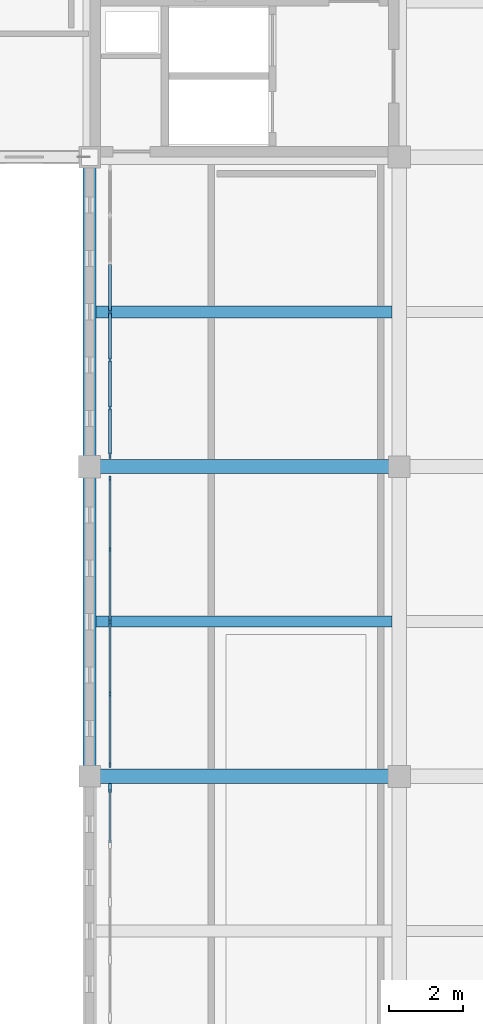
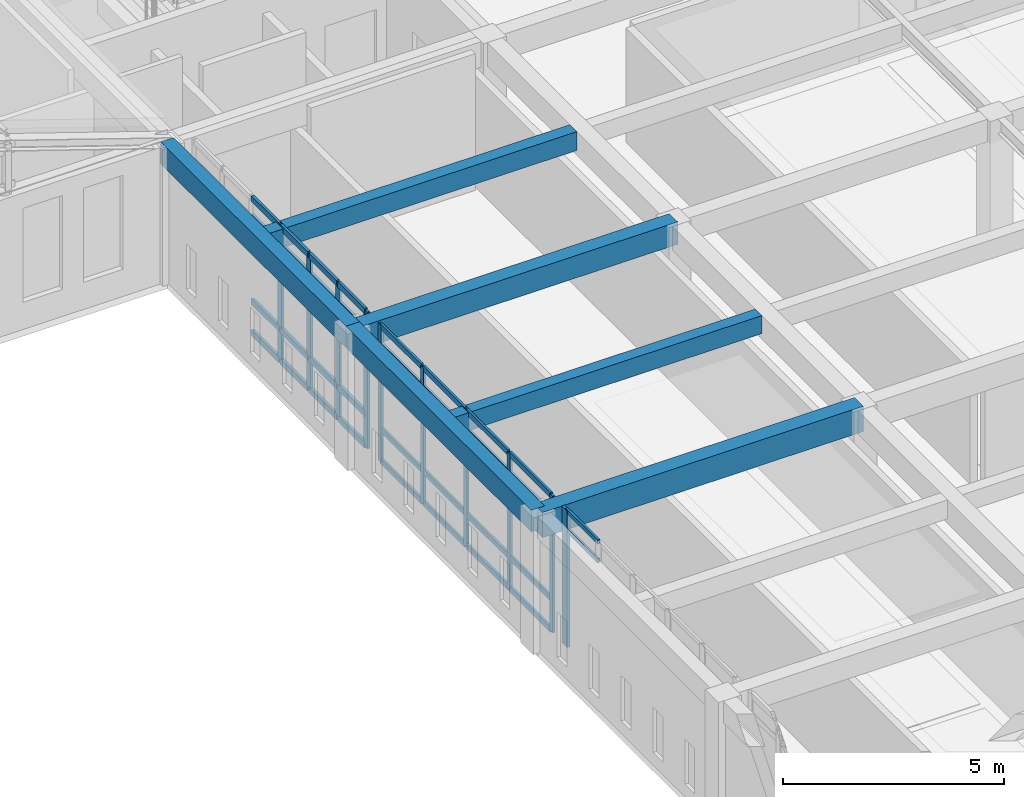
# One storey, part 6 of 56: 44 members, 6 beams, 3 elements without a shape of their own.
"""IFC4 building model written with IfcOpenShell, lengths in metres."""

from ifc_helpers import new_model, si_unit, direction, frame, origin, origin_2d, place, context, subcontext, project, spatial, rectangle, extrude, material, layer, layer_set, material_profile, profile_set, type_object, element, aggregate, save


model = new_model("IFC4")

# Units and contexts
model_context = context("Model", 3, precision=1e-05, world=origin(), true_north=direction((0.0, 1.0)))
body_context = subcontext(model_context, "Body", "Model", "MODEL_VIEW")
ifc_project = project(units=[si_unit("LENGTHUNIT", "METRE"), si_unit("AREAUNIT", "SQUARE_METRE"), si_unit("VOLUMEUNIT", "CUBIC_METRE"), si_unit("PLANEANGLEUNIT", "RADIAN"), si_unit("MASSUNIT", "GRAM", prefix="KILO")], contexts=[model_context])

# Site, building, storey
site_placement = place(None, origin())
site = spatial("IfcSite", under=ifc_project, at=site_placement, CompositionType="ELEMENT")
building_placement = place(site_placement, origin())
building = spatial("IfcBuilding", under=site, at=building_placement, Name="Kveldsbrygga Polytechnic", CompositionType="ELEMENT")
storey_placement = place(building_placement, frame((0.0, 0.0, 18.02001953125)))
storey = spatial("IfcBuildingStorey", under=building, at=storey_placement, Name="L04", CompositionType="ELEMENT", Elevation=18.02001953125)

# Beams
ifc_material_1 = material(Name="Concrete C35/45", Category="concrete")
ifc_material_profile_1 = material_profile(ifc_material_1, rectangle(XDim=0.3798828125, YDim=0.6201171875, at=origin_2d()), Name="RC 380x620")
ifc_profile_set_1 = profile_set([ifc_material_profile_1], Name="Concrete C35/45")
beam_type_1 = type_object("IfcBeamType", Name="BM-RC-380x620", PredefinedType="BEAM", material=ifc_profile_set_1)
beam_1_placement = place(storey_placement, frame((126.0, 75.60009765625, 3.469970703125), z_axis=(1.0, 0.0, 0.0), x_axis=(0.0, 1.0, 0.0)))
element("IfcBeam", 1, at=beam_1_placement, inside=storey, type_object=beam_type_1, Name="Primary Beam BMX-L04-15to16-09", PredefinedType="BEAM", context=body_context, shape_type="SweptSolid", body=[
    extrude(rectangle(XDim=0.3798828125, YDim=0.6201171875, at=origin_2d()), origin(), (0.0, 0.0, 1.0), 8.39990234375),
])
ifc_material_profile_2 = material_profile(ifc_material_1, rectangle(XDim=0.39990234375, YDim=0.699951171875, at=origin_2d()), Name="RC 400x700")
ifc_profile_set_2 = profile_set([ifc_material_profile_2], Name="Concrete C35/45")
beam_type_2 = type_object("IfcBeamType", Name="BM-RC-400x700", PredefinedType="BEAM", material=ifc_profile_set_2)
beam_2_placement = place(storey_placement, frame((126.0, 67.199951171875, 3.429931640625), z_axis=(1.0, 0.0, 0.0), x_axis=(0.0, 1.0, 0.0)))
element("IfcBeam", 2, at=beam_2_placement, inside=storey, type_object=beam_type_2, Name="Primary Beam BMX-L04-15to16-08", PredefinedType="BEAM", context=body_context, shape_type="SweptSolid", body=[
    extrude(rectangle(XDim=0.39990234375, YDim=0.699951171875, at=origin_2d()), origin(), (0.0, 0.0, 1.0), 8.39990234375),
])
ifc_material_profile_3 = material_profile(ifc_material_1, rectangle(XDim=0.35009765625, YDim=0.60009765625, at=origin_2d()), Name="RC 350x600")
ifc_profile_set_3 = profile_set([ifc_material_profile_3], Name="Concrete C35/45")
beam_type_3 = type_object("IfcBeamType", Name="BM-SPANDREL-600", PredefinedType="T_BEAM", material=ifc_profile_set_3)
beam_3_placement = place(storey_placement, frame((126.0, 67.199951171875, 3.47998046875), z_axis=(0.0, 1.0, 0.0), x_axis=(-1.0, 0.0, 0.0)))
element("IfcBeam", 3, at=beam_3_placement, inside=storey, type_object=beam_type_3, Name="Primary Beam BMY-L04-15-08to09", PredefinedType="T_BEAM", context=body_context, shape_type="SweptSolid", body=[
    extrude(rectangle(XDim=0.35009765625, YDim=0.60009765625, at=origin_2d()), origin(), (0.0, 0.0, 1.0), 8.400146484375),
])
beam_4_placement = place(storey_placement, frame((126.0, 75.60009765625, 3.47998046875), z_axis=(0.0, 1.0, 0.0), x_axis=(-1.0, 0.0, 0.0)))
element("IfcBeam", 4, at=beam_4_placement, inside=storey, type_object=beam_type_3, Name="Primary Beam BMY-L04-15-09to10", PredefinedType="T_BEAM", context=body_context, shape_type="SweptSolid", body=[
    extrude(rectangle(XDim=0.35009765625, YDim=0.60009765625, at=origin_2d()), origin(), (0.0, 0.0, 1.0), 8.39990234375),
])

# Curtain wall, members
ifc_material_2 = material(Name="Anodised aluminium AW-6060", Category="aluminium")
ifc_layer_1 = layer(ifc_material_2, 0.199951171875)
ifc_layer_set_1 = layer_set([ifc_layer_1], Name="Anodised aluminium AW-6060")
curtain_wall_type_1 = type_object("IfcCurtainWallType", Name="CW-LANC-E", PredefinedType="USERDEFINED", material=ifc_layer_set_1)
curtain_wall_1_placement = place(storey_placement, origin())
curtain_wall_1 = element("IfcCurtainWall", 5, at=curtain_wall_1_placement, inside=storey, type_object=curtain_wall_type_1, Name="Curtain Wall CW-L04-Y-15-08", ObjectType="UNITISED CURTAIN WALL", PredefinedType="USERDEFINED")
ifc_material_profile_4 = material_profile(ifc_material_2, rectangle(XDim=0.06005859375, YDim=0.139892578125, at=origin_2d()), Name="ALU 60x140")
ifc_profile_set_4 = profile_set([ifc_material_profile_4], Name="Anodised aluminium AW-6060")
member_type_1 = type_object("IfcMemberType", Name="CW-MUL-140", PredefinedType="MULLION", material=ifc_profile_set_4)
member_1_placement = place(storey_placement, frame((126.550048828125, 67.5048828125, 0.0), z_axis=(0.0, 0.0, 1.0), x_axis=(-1.0, 0.0, 0.0)))
member_1 = element("IfcMember", 6, at=member_1_placement, type_object=member_type_1, Name="CW-05 mullion 1", PredefinedType="MULLION", context=body_context, shape_type="SweptSolid", body=[
    extrude(rectangle(XDim=0.06005859375, YDim=0.139892578125, at=origin_2d()), origin(), (0.0, 0.0, 1.0), 3.780029296875),
])
member_2_placement = place(storey_placement, frame((126.550048828125, 69.43505859375, 0.0), z_axis=(0.0, 0.0, 1.0), x_axis=(-1.0, 0.0, 0.0)))
member_2 = element("IfcMember", 7, at=member_2_placement, type_object=member_type_1, Name="CW-05 mullion 2", PredefinedType="MULLION", context=body_context, shape_type="SweptSolid", body=[
    extrude(rectangle(XDim=0.06005859375, YDim=0.139892578125, at=origin_2d()), origin(), (0.0, 0.0, 1.0), 3.780029296875),
])
member_3_placement = place(storey_placement, frame((126.550048828125, 71.39501953125, 0.0), z_axis=(0.0, 0.0, 1.0), x_axis=(-1.0, 0.0, 0.0)))
member_3 = element("IfcMember", 8, at=member_3_placement, type_object=member_type_1, Name="CW-05 mullion 3", PredefinedType="MULLION", context=body_context, shape_type="SweptSolid", body=[
    extrude(rectangle(XDim=0.06005859375, YDim=0.139892578125, at=origin_2d()), origin(), (0.0, 0.0, 1.0), 3.780029296875),
])
member_4_placement = place(storey_placement, frame((126.550048828125, 73.35498046875, 0.0), z_axis=(0.0, 0.0, 1.0), x_axis=(-1.0, 0.0, 0.0)))
member_4 = element("IfcMember", 9, at=member_4_placement, type_object=member_type_1, Name="CW-05 mullion 4", PredefinedType="MULLION", context=body_context, shape_type="SweptSolid", body=[
    extrude(rectangle(XDim=0.06005859375, YDim=0.139892578125, at=origin_2d()), origin(), (0.0, 0.0, 1.0), 3.780029296875),
])
member_5_placement = place(storey_placement, frame((126.550048828125, 75.284912109375, 0.0), z_axis=(0.0, 0.0, 1.0), x_axis=(-1.0, 0.0, 0.0)))
member_5 = element("IfcMember", 10, at=member_5_placement, type_object=member_type_1, Name="CW-05 mullion 5", PredefinedType="MULLION", context=body_context, shape_type="SweptSolid", body=[
    extrude(rectangle(XDim=0.06005859375, YDim=0.139892578125, at=origin_2d()), origin(), (0.0, 0.0, 1.0), 3.780029296875),
])

ifc_layer_2 = layer(ifc_material_2, 0.169921875)
ifc_layer_set_2 = layer_set([ifc_layer_2], Name="Anodised aluminium AW-6060")
curtain_wall_type_2 = type_object("IfcCurtainWallType", Name="CW-FOYR-F", PredefinedType="USERDEFINED", material=ifc_layer_set_2)
curtain_wall_2_placement = place(storey_placement, origin())
curtain_wall_2 = element("IfcCurtainWall", 11, at=curtain_wall_2_placement, inside=storey, type_object=curtain_wall_type_2, Name="Curtain Wall CW-L04-Y-15-09", ObjectType="STICK CURTAIN WALL", PredefinedType="USERDEFINED")
ifc_material_profile_5 = material_profile(ifc_material_2, rectangle(XDim=0.06005859375, YDim=0.179931640625, at=origin_2d()), Name="ALU 60x180")
ifc_profile_set_5 = profile_set([ifc_material_profile_5], Name="Anodised aluminium AW-6060")
member_type_2 = type_object("IfcMemberType", Name="CW-MUL-180", PredefinedType="MULLION", material=ifc_profile_set_5)
member_6_placement = place(storey_placement, frame((126.550048828125, 75.9150390625, 0.0), z_axis=(0.0, 0.0, 1.0), x_axis=(-1.0, 0.0, 0.0)))
member_6 = element("IfcMember", 12, at=member_6_placement, type_object=member_type_2, Name="CW-06 mullion 1", PredefinedType="MULLION", context=body_context, shape_type="SweptSolid", body=[
    extrude(rectangle(XDim=0.06005859375, YDim=0.179931640625, at=origin_2d()), origin(), (0.0, 0.0, 1.0), 3.780029296875),
])
member_7_placement = place(storey_placement, frame((126.550048828125, 77.191650390625, 0.0), z_axis=(0.0, 0.0, 1.0), x_axis=(-1.0, 0.0, 0.0)))
member_7 = element("IfcMember", 13, at=member_7_placement, type_object=member_type_2, Name="CW-06 mullion 2", PredefinedType="MULLION", context=body_context, shape_type="SweptSolid", body=[
    extrude(rectangle(XDim=0.06005859375, YDim=0.179931640625, at=origin_2d()), origin(), (0.0, 0.0, 1.0), 3.780029296875),
])
member_8_placement = place(storey_placement, frame((126.550048828125, 78.498291015625, 0.0), z_axis=(0.0, 0.0, 1.0), x_axis=(-1.0, 0.0, 0.0)))
member_8 = element("IfcMember", 14, at=member_8_placement, type_object=member_type_2, Name="CW-06 mullion 3", PredefinedType="MULLION", context=body_context, shape_type="SweptSolid", body=[
    extrude(rectangle(XDim=0.06005859375, YDim=0.179931640625, at=origin_2d()), origin(), (0.0, 0.0, 1.0), 3.780029296875),
])
member_9_placement = place(storey_placement, frame((126.550048828125, 79.804931640625, 0.0), z_axis=(0.0, 0.0, 1.0), x_axis=(-1.0, 0.0, 0.0)))
member_9 = element("IfcMember", 15, at=member_9_placement, type_object=member_type_2, Name="CW-06 mullion 4", PredefinedType="MULLION", context=body_context, shape_type="SweptSolid", body=[
    extrude(rectangle(XDim=0.06005859375, YDim=0.179931640625, at=origin_2d()), origin(), (0.0, 0.0, 1.0), 3.780029296875),
])

ifc_layer_3 = layer(ifc_material_2, 0.179931640625)
ifc_layer_set_3 = layer_set([ifc_layer_3], Name="Anodised aluminium AW-6060")
curtain_wall_type_3 = type_object("IfcCurtainWallType", Name="CW-LANC-D", PredefinedType="USERDEFINED", material=ifc_layer_set_3)
curtain_wall_3_placement = place(storey_placement, origin())
curtain_wall_3 = element("IfcCurtainWall", 16, at=curtain_wall_3_placement, inside=storey, type_object=curtain_wall_type_3, Name="Curtain Wall CW-L04-Y-15-07", ObjectType="UNITISED CURTAIN WALL", PredefinedType="USERDEFINED")
ifc_material_profile_6 = material_profile(ifc_material_2, rectangle(XDim=0.074951171875, YDim=0.239990234375, at=origin_2d()), Name="ALU 75x240")
ifc_profile_set_6 = profile_set([ifc_material_profile_6], Name="Anodised aluminium AW-6060")
member_type_3 = type_object("IfcMemberType", Name="CW-MUL-240", PredefinedType="MULLION", material=ifc_profile_set_6)
member_10_placement = place(storey_placement, frame((126.550048828125, 66.887451171875, 0.0), z_axis=(0.0, 0.0, 1.0), x_axis=(-1.0, 0.0, 0.0)))
member_10 = element("IfcMember", 17, at=member_10_placement, type_object=member_type_3, Name="CW-04 mullion 6", PredefinedType="MULLION", context=body_context, shape_type="SweptSolid", body=[
    extrude(rectangle(XDim=0.074951171875, YDim=0.239990234375, at=origin_2d()), origin(), (0.0, 0.0, 1.0), 3.780029296875),
])
ifc_material_profile_7 = material_profile(ifc_material_2, rectangle(XDim=0.06005859375, YDim=0.1201171875, at=origin_2d()), Name="ALU 60x120")
ifc_profile_set_7 = profile_set([ifc_material_profile_7], Name="Anodised aluminium AW-6060")
member_type_4 = type_object("IfcMemberType", Name="CW-TRN-120", PredefinedType="USERDEFINED", material=ifc_profile_set_7)
member_11_placement = place(storey_placement, frame((126.550048828125, 65.39453125, 3.22998046875), z_axis=(0.0, 1.0, 0.0), x_axis=(-1.0, 0.0, 0.0)))
member_11 = element("IfcMember", 18, at=member_11_placement, type_object=member_type_4, Name="CW-04 transom 5.3", ObjectType="TRANSOM", PredefinedType="USERDEFINED", context=body_context, shape_type="SweptSolid", body=[
    extrude(rectangle(XDim=0.06005859375, YDim=0.1201171875, at=origin_2d()), origin(), (0.0, 0.0, 1.0), 1.45556640625),
])
member_12_placement = place(storey_placement, frame((126.550048828125, 65.39453125, 3.75), z_axis=(0.0, 1.0, 0.0), x_axis=(-1.0, 0.0, 0.0)))
member_12 = element("IfcMember", 19, at=member_12_placement, type_object=member_type_4, Name="CW-04 transom 5.4", ObjectType="TRANSOM", PredefinedType="USERDEFINED", context=body_context, shape_type="SweptSolid", body=[
    extrude(rectangle(XDim=0.06005859375, YDim=0.1201171875, at=origin_2d()), origin(), (0.0, 0.0, 1.0), 1.45556640625),
])
aggregate(curtain_wall_3, [member_10, member_11, member_12])

# Member
ifc_material_profile_8 = material_profile(ifc_material_2, rectangle(XDim=0.06005859375, YDim=0.14990234375, at=origin_2d()), Name="ALU 60x150")
ifc_profile_set_8 = profile_set([ifc_material_profile_8], Name="Anodised aluminium AW-6060")
member_type_5 = type_object("IfcMemberType", Name="CW-TRN-150", PredefinedType="USERDEFINED", material=ifc_profile_set_8)
member_13_placement = place(storey_placement, frame((126.550048828125, 67.534912109375, 0.030029296875), z_axis=(0.0, 1.0, 0.0), x_axis=(-1.0, 0.0, 0.0)))
member_13 = element("IfcMember", 20, at=member_13_placement, type_object=member_type_5, Name="CW-05 transom 1.1", ObjectType="TRANSOM", PredefinedType="USERDEFINED", context=body_context, shape_type="SweptSolid", body=[
    extrude(rectangle(XDim=0.06005859375, YDim=0.14990234375, at=origin_2d()), origin(), (0.0, 0.0, 1.0), 1.8701171875),
])

member_14_placement = place(storey_placement, frame((126.550048828125, 67.534912109375, 0.89990234375), z_axis=(0.0, 1.0, 0.0), x_axis=(-1.0, 0.0, 0.0)))
member_14 = element("IfcMember", 21, at=member_14_placement, type_object=member_type_5, Name="CW-05 transom 1.2", ObjectType="TRANSOM", PredefinedType="USERDEFINED", context=body_context, shape_type="SweptSolid", body=[
    extrude(rectangle(XDim=0.06005859375, YDim=0.14990234375, at=origin_2d()), origin(), (0.0, 0.0, 1.0), 1.8701171875),
])

member_15_placement = place(storey_placement, frame((126.550048828125, 67.534912109375, 3.22998046875), z_axis=(0.0, 1.0, 0.0), x_axis=(-1.0, 0.0, 0.0)))
member_15 = element("IfcMember", 22, at=member_15_placement, type_object=member_type_5, Name="CW-05 transom 1.3", ObjectType="TRANSOM", PredefinedType="USERDEFINED", context=body_context, shape_type="SweptSolid", body=[
    extrude(rectangle(XDim=0.06005859375, YDim=0.14990234375, at=origin_2d()), origin(), (0.0, 0.0, 1.0), 1.8701171875),
])

member_16_placement = place(storey_placement, frame((126.550048828125, 67.534912109375, 3.75), z_axis=(0.0, 1.0, 0.0), x_axis=(-1.0, 0.0, 0.0)))
member_16 = element("IfcMember", 23, at=member_16_placement, type_object=member_type_5, Name="CW-05 transom 1.4", ObjectType="TRANSOM", PredefinedType="USERDEFINED", context=body_context, shape_type="SweptSolid", body=[
    extrude(rectangle(XDim=0.06005859375, YDim=0.14990234375, at=origin_2d()), origin(), (0.0, 0.0, 1.0), 1.8701171875),
])

member_17_placement = place(storey_placement, frame((126.550048828125, 69.465087890625, 0.030029296875), z_axis=(0.0, 1.0, 0.0), x_axis=(-1.0, 0.0, 0.0)))
member_17 = element("IfcMember", 24, at=member_17_placement, type_object=member_type_5, Name="CW-05 transom 2.1", ObjectType="TRANSOM", PredefinedType="USERDEFINED", context=body_context, shape_type="SweptSolid", body=[
    extrude(rectangle(XDim=0.06005859375, YDim=0.14990234375, at=origin_2d()), origin(), (0.0, 0.0, 1.0), 1.89990234375),
])

member_18_placement = place(storey_placement, frame((126.550048828125, 69.465087890625, 0.89990234375), z_axis=(0.0, 1.0, 0.0), x_axis=(-1.0, 0.0, 0.0)))
member_18 = element("IfcMember", 25, at=member_18_placement, type_object=member_type_5, Name="CW-05 transom 2.2", ObjectType="TRANSOM", PredefinedType="USERDEFINED", context=body_context, shape_type="SweptSolid", body=[
    extrude(rectangle(XDim=0.06005859375, YDim=0.14990234375, at=origin_2d()), origin(), (0.0, 0.0, 1.0), 1.89990234375),
])

member_19_placement = place(storey_placement, frame((126.550048828125, 69.465087890625, 3.22998046875), z_axis=(0.0, 1.0, 0.0), x_axis=(-1.0, 0.0, 0.0)))
member_19 = element("IfcMember", 26, at=member_19_placement, type_object=member_type_5, Name="CW-05 transom 2.3", ObjectType="TRANSOM", PredefinedType="USERDEFINED", context=body_context, shape_type="SweptSolid", body=[
    extrude(rectangle(XDim=0.06005859375, YDim=0.14990234375, at=origin_2d()), origin(), (0.0, 0.0, 1.0), 1.89990234375),
])

member_20_placement = place(storey_placement, frame((126.550048828125, 69.465087890625, 3.75), z_axis=(0.0, 1.0, 0.0), x_axis=(-1.0, 0.0, 0.0)))
member_20 = element("IfcMember", 27, at=member_20_placement, type_object=member_type_5, Name="CW-05 transom 2.4", ObjectType="TRANSOM", PredefinedType="USERDEFINED", context=body_context, shape_type="SweptSolid", body=[
    extrude(rectangle(XDim=0.06005859375, YDim=0.14990234375, at=origin_2d()), origin(), (0.0, 0.0, 1.0), 1.89990234375),
])

member_21_placement = place(storey_placement, frame((126.550048828125, 71.425048828125, 0.030029296875), z_axis=(0.0, 1.0, 0.0), x_axis=(-1.0, 0.0, 0.0)))
member_21 = element("IfcMember", 28, at=member_21_placement, type_object=member_type_5, Name="CW-05 transom 3.1", ObjectType="TRANSOM", PredefinedType="USERDEFINED", context=body_context, shape_type="SweptSolid", body=[
    extrude(rectangle(XDim=0.06005859375, YDim=0.14990234375, at=origin_2d()), origin(), (0.0, 0.0, 1.0), 1.89990234375),
])

member_22_placement = place(storey_placement, frame((126.550048828125, 71.425048828125, 0.89990234375), z_axis=(0.0, 1.0, 0.0), x_axis=(-1.0, 0.0, 0.0)))
member_22 = element("IfcMember", 29, at=member_22_placement, type_object=member_type_5, Name="CW-05 transom 3.2", ObjectType="TRANSOM", PredefinedType="USERDEFINED", context=body_context, shape_type="SweptSolid", body=[
    extrude(rectangle(XDim=0.06005859375, YDim=0.14990234375, at=origin_2d()), origin(), (0.0, 0.0, 1.0), 1.89990234375),
])

member_23_placement = place(storey_placement, frame((126.550048828125, 71.425048828125, 3.22998046875), z_axis=(0.0, 1.0, 0.0), x_axis=(-1.0, 0.0, 0.0)))
member_23 = element("IfcMember", 30, at=member_23_placement, type_object=member_type_5, Name="CW-05 transom 3.3", ObjectType="TRANSOM", PredefinedType="USERDEFINED", context=body_context, shape_type="SweptSolid", body=[
    extrude(rectangle(XDim=0.06005859375, YDim=0.14990234375, at=origin_2d()), origin(), (0.0, 0.0, 1.0), 1.89990234375),
])

member_24_placement = place(storey_placement, frame((126.550048828125, 71.425048828125, 3.75), z_axis=(0.0, 1.0, 0.0), x_axis=(-1.0, 0.0, 0.0)))
member_24 = element("IfcMember", 31, at=member_24_placement, type_object=member_type_5, Name="CW-05 transom 3.4", ObjectType="TRANSOM", PredefinedType="USERDEFINED", context=body_context, shape_type="SweptSolid", body=[
    extrude(rectangle(XDim=0.06005859375, YDim=0.14990234375, at=origin_2d()), origin(), (0.0, 0.0, 1.0), 1.89990234375),
])

member_25_placement = place(storey_placement, frame((126.550048828125, 73.385009765625, 0.030029296875), z_axis=(0.0, 1.0, 0.0), x_axis=(-1.0, 0.0, 0.0)))
member_25 = element("IfcMember", 32, at=member_25_placement, type_object=member_type_5, Name="CW-05 transom 4.1", ObjectType="TRANSOM", PredefinedType="USERDEFINED", context=body_context, shape_type="SweptSolid", body=[
    extrude(rectangle(XDim=0.06005859375, YDim=0.14990234375, at=origin_2d()), origin(), (0.0, 0.0, 1.0), 1.869873046875),
])

member_26_placement = place(storey_placement, frame((126.550048828125, 73.385009765625, 0.89990234375), z_axis=(0.0, 1.0, 0.0), x_axis=(-1.0, 0.0, 0.0)))
member_26 = element("IfcMember", 33, at=member_26_placement, type_object=member_type_5, Name="CW-05 transom 4.2", ObjectType="TRANSOM", PredefinedType="USERDEFINED", context=body_context, shape_type="SweptSolid", body=[
    extrude(rectangle(XDim=0.06005859375, YDim=0.14990234375, at=origin_2d()), origin(), (0.0, 0.0, 1.0), 1.869873046875),
])

member_27_placement = place(storey_placement, frame((126.550048828125, 73.385009765625, 3.22998046875), z_axis=(0.0, 1.0, 0.0), x_axis=(-1.0, 0.0, 0.0)))
member_27 = element("IfcMember", 34, at=member_27_placement, type_object=member_type_5, Name="CW-05 transom 4.3", ObjectType="TRANSOM", PredefinedType="USERDEFINED", context=body_context, shape_type="SweptSolid", body=[
    extrude(rectangle(XDim=0.06005859375, YDim=0.14990234375, at=origin_2d()), origin(), (0.0, 0.0, 1.0), 1.869873046875),
])

member_28_placement = place(storey_placement, frame((126.550048828125, 73.385009765625, 3.75), z_axis=(0.0, 1.0, 0.0), x_axis=(-1.0, 0.0, 0.0)))
member_28 = element("IfcMember", 35, at=member_28_placement, type_object=member_type_5, Name="CW-05 transom 4.4", ObjectType="TRANSOM", PredefinedType="USERDEFINED", context=body_context, shape_type="SweptSolid", body=[
    extrude(rectangle(XDim=0.06005859375, YDim=0.14990234375, at=origin_2d()), origin(), (0.0, 0.0, 1.0), 1.869873046875),
])

aggregate(curtain_wall_1, [member_1, member_2, member_3, member_4, member_5, member_13, member_14, member_15, member_16, member_17, member_18, member_19, member_20, member_21, member_22, member_23, member_24, member_25, member_26, member_27, member_28])

ifc_material_profile_9 = material_profile(ifc_material_2, rectangle(XDim=0.074951171875, YDim=0.159912109375, at=origin_2d()), Name="ALU 75x160")
ifc_profile_set_9 = profile_set([ifc_material_profile_9], Name="Anodised aluminium AW-6060")
member_type_6 = type_object("IfcMemberType", Name="CW-TRN-160", PredefinedType="USERDEFINED", material=ifc_profile_set_9)
member_29_placement = place(storey_placement, frame((126.550048828125, 75.945068359375, 0.03759765625), z_axis=(0.0, 1.0, 0.0), x_axis=(-1.0, 0.0, 0.0)))
member_29 = element("IfcMember", 36, at=member_29_placement, type_object=member_type_6, Name="CW-06 transom 1.1", ObjectType="TRANSOM", PredefinedType="USERDEFINED", context=body_context, shape_type="SweptSolid", body=[
    extrude(rectangle(XDim=0.074951171875, YDim=0.159912109375, at=origin_2d()), origin(), (0.0, 0.0, 1.0), 1.216552734375),
])

member_30_placement = place(storey_placement, frame((126.550048828125, 75.945068359375, 0.89990234375), z_axis=(0.0, 1.0, 0.0), x_axis=(-1.0, 0.0, 0.0)))
member_30 = element("IfcMember", 37, at=member_30_placement, type_object=member_type_6, Name="CW-06 transom 1.2", ObjectType="TRANSOM", PredefinedType="USERDEFINED", context=body_context, shape_type="SweptSolid", body=[
    extrude(rectangle(XDim=0.074951171875, YDim=0.159912109375, at=origin_2d()), origin(), (0.0, 0.0, 1.0), 1.216552734375),
])

member_31_placement = place(storey_placement, frame((126.550048828125, 75.945068359375, 3.22998046875), z_axis=(0.0, 1.0, 0.0), x_axis=(-1.0, 0.0, 0.0)))
member_31 = element("IfcMember", 38, at=member_31_placement, type_object=member_type_6, Name="CW-06 transom 1.3", ObjectType="TRANSOM", PredefinedType="USERDEFINED", context=body_context, shape_type="SweptSolid", body=[
    extrude(rectangle(XDim=0.074951171875, YDim=0.159912109375, at=origin_2d()), origin(), (0.0, 0.0, 1.0), 1.216552734375),
])

member_32_placement = place(storey_placement, frame((126.550048828125, 75.945068359375, 3.742431640625), z_axis=(0.0, 1.0, 0.0), x_axis=(-1.0, 0.0, 0.0)))
member_32 = element("IfcMember", 39, at=member_32_placement, type_object=member_type_6, Name="CW-06 transom 1.4", ObjectType="TRANSOM", PredefinedType="USERDEFINED", context=body_context, shape_type="SweptSolid", body=[
    extrude(rectangle(XDim=0.074951171875, YDim=0.159912109375, at=origin_2d()), origin(), (0.0, 0.0, 1.0), 1.216552734375),
])

member_33_placement = place(storey_placement, frame((126.550048828125, 77.2216796875, 0.03759765625), z_axis=(0.0, 1.0, 0.0), x_axis=(-1.0, 0.0, 0.0)))
member_33 = element("IfcMember", 40, at=member_33_placement, type_object=member_type_6, Name="CW-06 transom 2.1", ObjectType="TRANSOM", PredefinedType="USERDEFINED", context=body_context, shape_type="SweptSolid", body=[
    extrude(rectangle(XDim=0.074951171875, YDim=0.159912109375, at=origin_2d()), origin(), (0.0, 0.0, 1.0), 1.24658203125),
])

member_34_placement = place(storey_placement, frame((126.550048828125, 77.2216796875, 0.89990234375), z_axis=(0.0, 1.0, 0.0), x_axis=(-1.0, 0.0, 0.0)))
member_34 = element("IfcMember", 41, at=member_34_placement, type_object=member_type_6, Name="CW-06 transom 2.2", ObjectType="TRANSOM", PredefinedType="USERDEFINED", context=body_context, shape_type="SweptSolid", body=[
    extrude(rectangle(XDim=0.074951171875, YDim=0.159912109375, at=origin_2d()), origin(), (0.0, 0.0, 1.0), 1.24658203125),
])

member_35_placement = place(storey_placement, frame((126.550048828125, 77.2216796875, 3.22998046875), z_axis=(0.0, 1.0, 0.0), x_axis=(-1.0, 0.0, 0.0)))
member_35 = element("IfcMember", 42, at=member_35_placement, type_object=member_type_6, Name="CW-06 transom 2.3", ObjectType="TRANSOM", PredefinedType="USERDEFINED", context=body_context, shape_type="SweptSolid", body=[
    extrude(rectangle(XDim=0.074951171875, YDim=0.159912109375, at=origin_2d()), origin(), (0.0, 0.0, 1.0), 1.24658203125),
])

member_36_placement = place(storey_placement, frame((126.550048828125, 77.2216796875, 3.742431640625), z_axis=(0.0, 1.0, 0.0), x_axis=(-1.0, 0.0, 0.0)))
member_36 = element("IfcMember", 43, at=member_36_placement, type_object=member_type_6, Name="CW-06 transom 2.4", ObjectType="TRANSOM", PredefinedType="USERDEFINED", context=body_context, shape_type="SweptSolid", body=[
    extrude(rectangle(XDim=0.074951171875, YDim=0.159912109375, at=origin_2d()), origin(), (0.0, 0.0, 1.0), 1.24658203125),
])

member_37_placement = place(storey_placement, frame((126.550048828125, 78.5283203125, 0.03759765625), z_axis=(0.0, 1.0, 0.0), x_axis=(-1.0, 0.0, 0.0)))
member_37 = element("IfcMember", 44, at=member_37_placement, type_object=member_type_6, Name="CW-06 transom 3.1", ObjectType="TRANSOM", PredefinedType="USERDEFINED", context=body_context, shape_type="SweptSolid", body=[
    extrude(rectangle(XDim=0.074951171875, YDim=0.159912109375, at=origin_2d()), origin(), (0.0, 0.0, 1.0), 1.24658203125),
])

member_38_placement = place(storey_placement, frame((126.550048828125, 78.5283203125, 0.89990234375), z_axis=(0.0, 1.0, 0.0), x_axis=(-1.0, 0.0, 0.0)))
member_38 = element("IfcMember", 45, at=member_38_placement, type_object=member_type_6, Name="CW-06 transom 3.2", ObjectType="TRANSOM", PredefinedType="USERDEFINED", context=body_context, shape_type="SweptSolid", body=[
    extrude(rectangle(XDim=0.074951171875, YDim=0.159912109375, at=origin_2d()), origin(), (0.0, 0.0, 1.0), 1.24658203125),
])

member_39_placement = place(storey_placement, frame((126.550048828125, 78.5283203125, 3.22998046875), z_axis=(0.0, 1.0, 0.0), x_axis=(-1.0, 0.0, 0.0)))
member_39 = element("IfcMember", 46, at=member_39_placement, type_object=member_type_6, Name="CW-06 transom 3.3", ObjectType="TRANSOM", PredefinedType="USERDEFINED", context=body_context, shape_type="SweptSolid", body=[
    extrude(rectangle(XDim=0.074951171875, YDim=0.159912109375, at=origin_2d()), origin(), (0.0, 0.0, 1.0), 1.24658203125),
])

member_40_placement = place(storey_placement, frame((126.550048828125, 78.5283203125, 3.742431640625), z_axis=(0.0, 1.0, 0.0), x_axis=(-1.0, 0.0, 0.0)))
member_40 = element("IfcMember", 47, at=member_40_placement, type_object=member_type_6, Name="CW-06 transom 3.4", ObjectType="TRANSOM", PredefinedType="USERDEFINED", context=body_context, shape_type="SweptSolid", body=[
    extrude(rectangle(XDim=0.074951171875, YDim=0.159912109375, at=origin_2d()), origin(), (0.0, 0.0, 1.0), 1.24658203125),
])

member_41_placement = place(storey_placement, frame((126.550048828125, 79.8349609375, 0.03759765625), z_axis=(0.0, 1.0, 0.0), x_axis=(-1.0, 0.0, 0.0)))
member_41 = element("IfcMember", 48, at=member_41_placement, type_object=member_type_6, Name="CW-06 transom 4.1", ObjectType="TRANSOM", PredefinedType="USERDEFINED", context=body_context, shape_type="SweptSolid", body=[
    extrude(rectangle(XDim=0.074951171875, YDim=0.159912109375, at=origin_2d()), origin(), (0.0, 0.0, 1.0), 1.246826171875),
])

member_42_placement = place(storey_placement, frame((126.550048828125, 79.8349609375, 0.89990234375), z_axis=(0.0, 1.0, 0.0), x_axis=(-1.0, 0.0, 0.0)))
member_42 = element("IfcMember", 49, at=member_42_placement, type_object=member_type_6, Name="CW-06 transom 4.2", ObjectType="TRANSOM", PredefinedType="USERDEFINED", context=body_context, shape_type="SweptSolid", body=[
    extrude(rectangle(XDim=0.074951171875, YDim=0.159912109375, at=origin_2d()), origin(), (0.0, 0.0, 1.0), 1.246826171875),
])

member_43_placement = place(storey_placement, frame((126.550048828125, 79.8349609375, 3.22998046875), z_axis=(0.0, 1.0, 0.0), x_axis=(-1.0, 0.0, 0.0)))
member_43 = element("IfcMember", 50, at=member_43_placement, type_object=member_type_6, Name="CW-06 transom 4.3", ObjectType="TRANSOM", PredefinedType="USERDEFINED", context=body_context, shape_type="SweptSolid", body=[
    extrude(rectangle(XDim=0.074951171875, YDim=0.159912109375, at=origin_2d()), origin(), (0.0, 0.0, 1.0), 1.246826171875),
])

member_44_placement = place(storey_placement, frame((126.550048828125, 79.8349609375, 3.742431640625), z_axis=(0.0, 1.0, 0.0), x_axis=(-1.0, 0.0, 0.0)))
member_44 = element("IfcMember", 51, at=member_44_placement, type_object=member_type_6, Name="CW-06 transom 4.4", ObjectType="TRANSOM", PredefinedType="USERDEFINED", context=body_context, shape_type="SweptSolid", body=[
    extrude(rectangle(XDim=0.074951171875, YDim=0.159912109375, at=origin_2d()), origin(), (0.0, 0.0, 1.0), 1.246826171875),
])

aggregate(curtain_wall_2, [member_6, member_7, member_8, member_9, member_29, member_30, member_31, member_32, member_33, member_34, member_35, member_36, member_37, member_38, member_39, member_40, member_41, member_42, member_43, member_44])

# Beams
ifc_material_profile_10 = material_profile(ifc_material_1, rectangle(XDim=0.300048828125, YDim=0.5, at=origin_2d()), Name="RC 300x500")
ifc_profile_set_10 = profile_set([ifc_material_profile_10], Name="Concrete C35/45")
beam_type_4 = type_object("IfcBeamType", Name="JST-RC-300x500", PredefinedType="JOIST", material=ifc_profile_set_10)
beam_5_placement = place(storey_placement, frame((126.175048828125, 71.39990234375, 3.530029296875), z_axis=(1.0, 0.0, 0.0), x_axis=(0.0, 1.0, 0.0)))
element("IfcBeam", 52, at=beam_5_placement, inside=storey, type_object=beam_type_4, Name="Secondary Joist JST-L04-15-08", PredefinedType="JOIST", context=body_context, shape_type="SweptSolid", body=[
    extrude(rectangle(XDim=0.300048828125, YDim=0.5, at=origin_2d()), origin(), (0.0, 0.0, 1.0), 8.02490234375),
])
ifc_material_profile_11 = material_profile(ifc_material_1, rectangle(XDim=0.320068359375, YDim=0.52001953125, at=origin_2d()), Name="RC 320x520")
ifc_profile_set_11 = profile_set([ifc_material_profile_11], Name="Concrete C35/45")
beam_type_5 = type_object("IfcBeamType", Name="JST-RC-320x520", PredefinedType="JOIST", material=ifc_profile_set_11)
beam_6_placement = place(storey_placement, frame((126.175048828125, 79.800048828125, 3.52001953125), z_axis=(1.0, 0.0, 0.0), x_axis=(0.0, 1.0, 0.0)))
element("IfcBeam", 53, at=beam_6_placement, inside=storey, type_object=beam_type_5, Name="Secondary Joist JST-L04-15-09", PredefinedType="JOIST", context=body_context, shape_type="SweptSolid", body=[
    extrude(rectangle(XDim=0.320068359375, YDim=0.52001953125, at=origin_2d()), origin(), (0.0, 0.0, 1.0), 8.02490234375),
])

save(model, "model.ifc")
